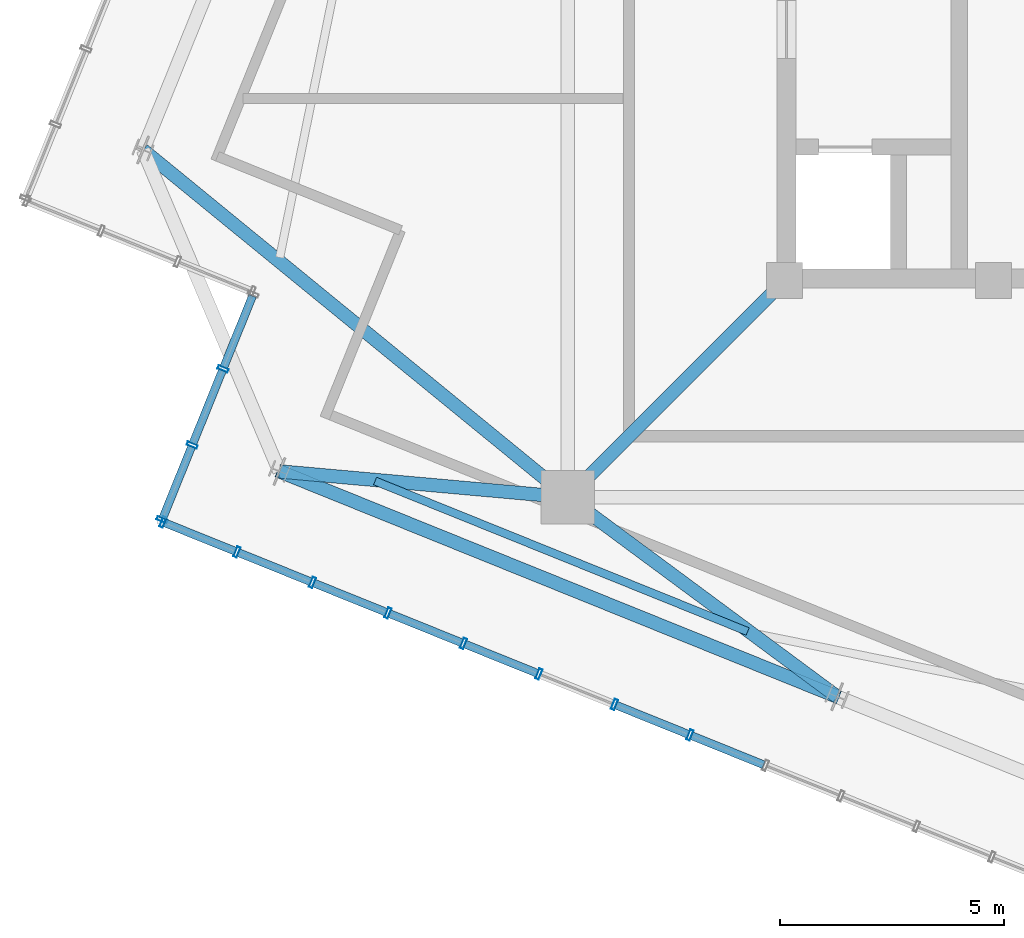
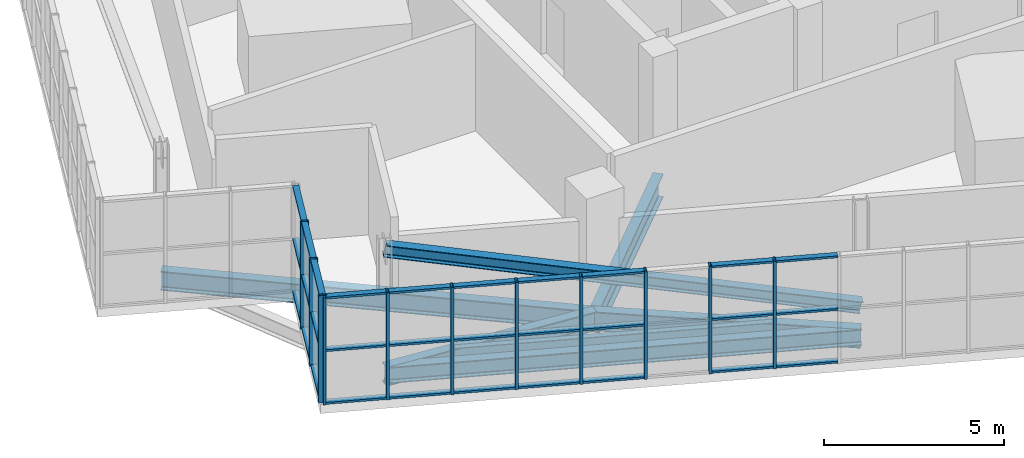
# One storey, part 3 of 26: 42 members, 6 beams, 2 elements without a shape of their own.
"""IFC4 building model written with IfcOpenShell, lengths in metres."""

import ifcopenshell
import ifcopenshell.guid

model = None  # the IFC model being written
_history = None  # IfcOwnerHistory: only IFC2X3 demands one
_inside = {}  # id of a spatial element -> (the spatial element, [elements in it])
_under = {}  # id of a project, library or spatial element -> (it, [spatial elements below it])
_declared = {}  # id of a project -> (the project, [libraries it declares])
_typed = {}  # id of a type object -> (the type object, [elements of that type])
_made_of = {}  # id of a material, layer set ... -> (it, [elements and type objects made of it])


def new_model(schema):
    """Start an empty IFC model of exactly this schema.

    Asked for "IFC4X3", IfcOpenShell would pick the latest addendum, in which some entities
    have other attributes; the version numbers below select the first issue.
    IFC2X3 requires an IfcOwnerHistory on every rooted entity: one is made here for all.
    """
    global model, _history
    if schema == "IFC4X3":
        model = ifcopenshell.file(schema_version=(4, 3, 0, 0))
    else:
        model = ifcopenshell.file(schema=schema)
    _inside.clear()
    _under.clear()
    _declared.clear()
    _typed.clear()
    _made_of.clear()
    _history = None
    if model.schema == "IFC2X3":
        org = make("IfcOrganization", Name="unknown")
        user = make(
            "IfcPersonAndOrganization",
            ThePerson=make("IfcPerson", FamilyName="unknown"),
            TheOrganization=org,
        )
        app = make(
            "IfcApplication",
            ApplicationDeveloper=org,
            Version="unknown",
            ApplicationFullName="unknown",
            ApplicationIdentifier="unknown",
        )
        _history = make(
            "IfcOwnerHistory",
            OwningUser=user,
            OwningApplication=app,
            ChangeAction="ADDED",
            CreationDate=0,
        )
    return model


def make(cls, **values):
    """One entity of the class cls with the attributes given. An attribute that is None is left unset."""
    return model.create_entity(
        cls, **{name: value for name, value in values.items() if value is not None}
    )


def rooted(cls, **values):
    """An entity with a GlobalId (a new one), such as an element, a storey or a relation."""
    return make(cls, GlobalId=ifcopenshell.guid.new(), OwnerHistory=_history, **values)


def si_unit(unit_type, name, prefix=None):
    """IfcSIUnit, for example si_unit("LENGTHUNIT", "METRE", prefix="MILLI")."""
    return make("IfcSIUnit", UnitType=unit_type, Prefix=prefix, Name=name)


def assignment(units):
    """IfcUnitAssignment: the units of a project."""
    return None if units is None else make("IfcUnitAssignment", Units=units)


def point(xyz):
    """IfcCartesianPoint."""
    return None if xyz is None else make("IfcCartesianPoint", Coordinates=xyz)


def direction(xyz):
    """IfcDirection."""
    return None if xyz is None else make("IfcDirection", DirectionRatios=xyz)


def frame(location, z_axis=None, x_axis=None):
    """IfcAxis2Placement3D, a coordinate frame: its origin and axes. An axis left out is left unset."""
    return make(
        "IfcAxis2Placement3D",
        Location=point(location),
        Axis=direction(z_axis),
        RefDirection=direction(x_axis),
    )


def frame_2d(location, x_axis=None):
    """IfcAxis2Placement2D, a coordinate frame in the plane: its origin and x axis."""
    return make(
        "IfcAxis2Placement2D", Location=point(location), RefDirection=direction(x_axis)
    )


def origin():
    """The frame at (0, 0, 0) with its axes left unset."""
    return frame((0.0, 0.0, 0.0))


def origin_2d():
    """The frame at (0, 0) in the plane with its x axis left unset."""
    return frame_2d((0.0, 0.0))


def place(relative_to, where):
    """IfcLocalPlacement: puts the frame where relative to a parent placement (None: the world)."""
    return make(
        "IfcLocalPlacement", PlacementRelTo=relative_to, RelativePlacement=where
    )


def context(
    kind, dimensions, precision=None, world=None, true_north=None, identifier=None
):
    """IfcGeometricRepresentationContext, for example the 3D "Model" context."""
    return make(
        "IfcGeometricRepresentationContext",
        ContextIdentifier=identifier,
        ContextType=kind,
        CoordinateSpaceDimension=dimensions,
        Precision=precision,
        WorldCoordinateSystem=world,
        TrueNorth=true_north,
    )


def subcontext(parent, identifier, kind, view, scale=None):
    """IfcGeometricRepresentationSubContext, for example "Body" below "Model"."""
    return make(
        "IfcGeometricRepresentationSubContext",
        ContextIdentifier=identifier,
        ContextType=kind,
        ParentContext=parent,
        TargetScale=scale,
        TargetView=view,
    )


def project(units=None, contexts=None):
    """IfcProject with its units and contexts."""
    return rooted(
        "IfcProject",
        Name="project",
        RepresentationContexts=contexts,
        UnitsInContext=assignment(units),
    )


def spatial(cls, under=None, at=None, **own):
    """A site, building, storey or space (cls), placed at a placement, below another one or the project."""
    s = rooted(cls, ObjectPlacement=at, **own)
    if under is not None:
        _under.setdefault(under.id(), (under, []))[1].append(s)
    return s


def profile(cls, at=None, kind="AREA", **sizes):
    """A parametric profile (cls). Its sizes go by their IFC names, for example OverallWidth=200.0."""
    return make(cls, ProfileType=kind, Position=at, **sizes)


def hollow_rectangle(**sizes):
    """IfcRectangleHollowProfileDef."""
    return profile("IfcRectangleHollowProfileDef", **sizes)


def i_section(**sizes):
    """IfcIShapeProfileDef."""
    return profile("IfcIShapeProfileDef", **sizes)


def extrude(swept, where, along, depth):
    """IfcExtrudedAreaSolid: the profile swept, set in the frame where, extruded along a direction by depth."""
    return make(
        "IfcExtrudedAreaSolid",
        SweptArea=swept,
        Position=where,
        ExtrudedDirection=direction(along),
        Depth=depth,
    )


def shape(context_of_items, identifier, shape_type, items):
    """IfcShapeRepresentation: the items that make up one representation, for example the "Body"."""
    return make(
        "IfcShapeRepresentation",
        ContextOfItems=context_of_items,
        RepresentationIdentifier=identifier,
        RepresentationType=shape_type,
        Items=items,
    )


def source(mapping_origin, context_of_items, identifier, shape_type, items):
    """IfcRepresentationMap: a shape defined once, which mapped items show again and again."""
    return make(
        "IfcRepresentationMap",
        MappingOrigin=mapping_origin,
        MappedRepresentation=shape(context_of_items, identifier, shape_type, items),
    )


def transform(
    local_origin,
    x_axis=None,
    y_axis=None,
    z_axis=None,
    scale=None,
    scale2=None,
    scale3=None,
    uniform=True,
):
    """IfcCartesianTransformationOperator3D, or its non-uniform kind. x_axis, y_axis, z_axis: its Axis1, 2, 3."""
    if uniform:
        return make(
            "IfcCartesianTransformationOperator3D",
            Axis1=direction(x_axis),
            Axis2=direction(y_axis),
            LocalOrigin=point(local_origin),
            Scale=scale,
            Axis3=direction(z_axis),
        )
    return make(
        "IfcCartesianTransformationOperator3DnonUniform",
        Axis1=direction(x_axis),
        Axis2=direction(y_axis),
        LocalOrigin=point(local_origin),
        Scale=scale,
        Axis3=direction(z_axis),
        Scale2=scale2,
        Scale3=scale3,
    )


def mapped(mapping_source, mapping_target):
    """IfcMappedItem: shows the shape of a source again, moved by a transform."""
    return make(
        "IfcMappedItem", MappingSource=mapping_source, MappingTarget=mapping_target
    )


def material(Name=None, Category=None):
    """IfcMaterial."""
    return make("IfcMaterial", Name=Name, Category=Category)


def layer(
    of_material, thickness, ventilated=None, Name=None, Category=None, Priority=None
):
    """IfcMaterialLayer: one layer of a wall or slab, of a material (None: an air gap)."""
    return make(
        "IfcMaterialLayer",
        Material=of_material,
        LayerThickness=thickness,
        IsVentilated=ventilated,
        Name=Name,
        Category=Category,
        Priority=Priority,
    )


def layer_set(layers, Name=None):
    """IfcMaterialLayerSet."""
    return make("IfcMaterialLayerSet", MaterialLayers=layers, LayerSetName=Name)


def material_profile(
    of_material, cross_section, Name=None, Category=None, Priority=None
):
    """IfcMaterialProfile: a cross section and its material."""
    return make(
        "IfcMaterialProfile",
        Name=Name,
        Material=of_material,
        Profile=cross_section,
        Priority=Priority,
        Category=Category,
    )


def profile_set(profiles, Name=None, composite=None):
    """IfcMaterialProfileSet."""
    return make(
        "IfcMaterialProfileSet",
        Name=Name,
        MaterialProfiles=profiles,
        CompositeProfile=composite,
    )


def made_of(thing, what):
    """Note that an element or type object is made of a material, layer set ...; save() writes the relation."""
    if what is not None:
        _made_of.setdefault(what.id(), (what, []))[1].append(thing)
    return thing


def type_object(cls, material=None, **own):
    """A type object (cls), such as IfcWallType, which elements share."""
    return made_of(rooted(cls, **own), material)


def element(
    cls,
    number,
    at=None,
    inside=None,
    cuts=None,
    type_object=None,
    material=None,
    context=None,
    identifier="Body",
    shape_type=None,
    held_by="IfcProductDefinitionShape",
    body=None,
    shapes=None,
    **own,
):
    """One element of the class cls, such as IfcWall. Its Tag is "e" and its number.

    at: its placement. inside: the storey or other place that contains it. cuts: it is an
    opening in that element (IfcRelVoidsElement). A single representation is given by context,
    identifier, shape_type and body (its items); several are given by shapes. held_by: the class
    of the entity that holds the representations. save() writes the other relations.
    """
    e = rooted(cls, Tag="e%d" % number, ObjectPlacement=at, **own)
    if body is not None:
        shapes = [shape(context, identifier, shape_type, body)]
    if shapes is not None:
        e.Representation = make(held_by, Representations=shapes)
    if inside is not None:
        _inside.setdefault(inside.id(), (inside, []))[1].append(e)
    if cuts is not None:
        rooted(
            "IfcRelVoidsElement", RelatingBuildingElement=cuts, RelatedOpeningElement=e
        )
    if type_object is not None:
        _typed.setdefault(type_object.id(), (type_object, []))[1].append(e)
    return made_of(e, material)


def aggregate(whole, parts):
    """IfcRelAggregates: a whole, such as a stair, and the parts it consists of."""
    return rooted("IfcRelAggregates", RelatingObject=whole, RelatedObjects=parts)


def save(model, path):
    """Write the relations noted so far, then the file.

    IfcRelAggregates (storeys below a building ...), IfcRelContainedInSpatialStructure (elements
    in a storey), IfcRelDefinesByType, IfcRelAssociatesMaterial and IfcRelDeclares: one each for
    every whole, place, type object, material and project.
    """
    for whole, parts in _under.values():
        aggregate(whole, parts)
    for where, things in _inside.values():
        rooted(
            "IfcRelContainedInSpatialStructure",
            RelatedElements=things,
            RelatingStructure=where,
        )
    for kind, things in _typed.values():
        rooted("IfcRelDefinesByType", RelatedObjects=things, RelatingType=kind)
    for what, things in _made_of.values():
        rooted("IfcRelAssociatesMaterial", RelatedObjects=things, RelatingMaterial=what)
    for by, libraries in _declared.values():
        rooted("IfcRelDeclares", RelatingContext=by, RelatedDefinitions=libraries)
    model.write(path)


model = new_model("IFC4")

# Units and contexts
model_context = context("Model", 3, precision=1e-05, world=origin(), true_north=direction((0.0, 1.0)))
body_context = subcontext(model_context, "Body", "Model", "MODEL_VIEW")
ifc_project = project(units=[si_unit("LENGTHUNIT", "METRE"), si_unit("AREAUNIT", "SQUARE_METRE"), si_unit("VOLUMEUNIT", "CUBIC_METRE"), si_unit("PLANEANGLEUNIT", "RADIAN"), si_unit("MASSUNIT", "GRAM", prefix="KILO"), si_unit("THERMODYNAMICTEMPERATUREUNIT", "KELVIN")], contexts=[model_context])

# Site, building, storey
site_placement = place(None, origin())
site = spatial("IfcSite", under=ifc_project, at=site_placement, CompositionType="ELEMENT")
building_placement = place(site_placement, origin())
building = spatial("IfcBuilding", under=site, at=building_placement, Name="Kosmvard Interchange Tower", CompositionType="ELEMENT")
storey_placement = place(building_placement, frame((0.0, 0.0, 341.60009765625)))
storey = spatial("IfcBuildingStorey", under=building, at=storey_placement, Name="L84", CompositionType="ELEMENT", Elevation=341.60009765625)

# Beam
ifc_material_1 = material(Name="Steel S355", Category="steel")
ifc_material_profile_1 = material_profile(ifc_material_1, i_section(OverallWidth=0.300048828125, OverallDepth=0.800048828125, WebThickness=0.017578125, FlangeThickness=0.032958984375, FilletRadius=0.027099609375, at=origin_2d()), Name="HEB 800")
ifc_profile_set_1 = profile_set([ifc_material_profile_1], Name="Steel S355")
beam_type_1 = type_object("IfcBeamType", Name="Primary Mega-Frame Girder HEB 800 S355", PredefinedType="BEAM", material=ifc_profile_set_1)
shared_shape_1 = source(origin(), body_context, "Body", "SweptSolid", [
    extrude(i_section(OverallWidth=0.300048828125, OverallDepth=0.800048828125, WebThickness=0.017578125, FlangeThickness=0.032958984375, FilletRadius=0.027099609375, at=origin_2d()), origin(), (0.0, 0.0, 1.0), 6.83203125),
])
beam_1_placement = place(storey_placement, frame((-8.25, -8.25, -0.7001953125), z_axis=(-0.707106781187, -0.707106781187, 0.0), x_axis=(0.707106781187, -0.707106781187, 0.0)))
element("IfcBeam", 1, at=beam_1_placement, inside=storey, type_object=beam_type_1, Name="L84 Radial Mega-Frame Girder 1", PredefinedType="BEAM", context=body_context, shape_type="MappedRepresentation", body=[
    mapped(shared_shape_1, transform((0.0, 0.0, 0.0), scale=1.0)),
])

# Member
ifc_material_profile_2 = material_profile(ifc_material_1, i_section(OverallWidth=0.300048828125, OverallDepth=0.39990234375, WebThickness=0.013427734375, FlangeThickness=0.02392578125, FilletRadius=0.027099609375, at=origin_2d()), Name="HEB 400")
ifc_profile_set_2 = profile_set([ifc_material_profile_2], Name="Steel S355")
member_type_1 = type_object("IfcMemberType", Name="Lantern Crown Diagrid Brace HEB 400 S355", PredefinedType="BRACE", material=ifc_profile_set_2)
shared_shape_2 = source(origin(), body_context, "Body", "SweptSolid", [
    extrude(i_section(OverallWidth=0.300048828125, OverallDepth=0.39990234375, WebThickness=0.013427734375, FlangeThickness=0.02392578125, FilletRadius=0.027099609375, at=origin_2d()), origin(), (0.0, 0.0, 1.0), 13.78369140625),
])
member_1_placement = place(storey_placement, frame((-7.080078125, -17.523681640625, 0.419921875), z_axis=(-0.901373372792, 0.364162635972, 0.234332279859), x_axis=(-0.374592580972, -0.927189515839, 0.0)))
element("IfcMember", 2, at=member_1_placement, inside=storey, type_object=member_type_1, Name="L84 Crown Lantern Diagrid Brace W1", PredefinedType="BRACE", context=body_context, shape_type="MappedRepresentation", body=[
    mapped(shared_shape_2, transform((0.0, 0.0, 0.0), scale=1.0)),
])

# Beams
ifc_material_profile_3 = material_profile(ifc_material_1, i_section(OverallWidth=0.300048828125, OverallDepth=0.550048828125, WebThickness=0.014892578125, FlangeThickness=0.029052734375, FilletRadius=0.027099609375, at=origin_2d()), Name="HEB 550")
ifc_profile_set_3 = profile_set([ifc_material_profile_3], Name="Steel S355")
beam_type_2 = type_object("IfcBeamType", Name="Crown Ring Cap Girder HEB 550 S355", PredefinedType="BEAM", material=ifc_profile_set_3)
shared_shape_3 = source(origin(), body_context, "Body", "SweptSolid", [
    extrude(i_section(OverallWidth=0.300048828125, OverallDepth=0.550048828125, WebThickness=0.014892578125, FlangeThickness=0.029052734375, FilletRadius=0.027099609375, at=origin_2d()), origin(), (0.0, 0.0, 1.0), 13.39990234375),
])
beam_2_placement = place(storey_placement, frame((-19.50439453125, -12.504150390625, -0.5751953125), z_axis=(0.927189515839, -0.374592580972, 0.0), x_axis=(0.374592580972, 0.927189515839, 0.0)))
element("IfcBeam", 3, at=beam_2_placement, inside=storey, type_object=beam_type_2, Name="BM-L84-PR10", PredefinedType="BEAM", context=body_context, shape_type="MappedRepresentation", body=[
    mapped(shared_shape_3, transform((0.0, 0.0, 0.0), scale=1.0)),
])
ifc_material_profile_4 = material_profile(ifc_material_1, i_section(OverallWidth=0.300048828125, OverallDepth=0.64990234375, WebThickness=0.01611328125, FlangeThickness=0.031005859375, FilletRadius=0.027099609375, at=origin_2d()), Name="HEB 650")
ifc_profile_set_4 = profile_set([ifc_material_profile_4], Name="Steel S355")
beam_type_3 = type_object("IfcBeamType", Name="Primary Floor Girder HEB 650 S355", PredefinedType="BEAM", material=ifc_profile_set_4)
shared_shape_4 = source(origin(), body_context, "Body", "SweptSolid", [
    extrude(i_section(OverallWidth=0.300048828125, OverallDepth=0.64990234375, WebThickness=0.01611328125, FlangeThickness=0.031005859375, FilletRadius=0.027099609375, at=origin_2d()), origin(), (0.0, 0.0, 1.0), 6.44921875),
])
beam_3_placement = place(storey_placement, frame((-13.0810546875, -13.0810546875, -0.625), z_axis=(-0.995990982197, 0.089453694068, 0.0), x_axis=(-0.089453694068, -0.995990982197, 0.0)))
element("IfcBeam", 4, at=beam_3_placement, inside=storey, type_object=beam_type_3, Name="BM-L84-RD10", PredefinedType="BEAM", context=body_context, shape_type="MappedRepresentation", body=[
    mapped(shared_shape_4, transform((0.0, 0.0, 0.0), scale=1.0)),
])
shared_shape_5 = source(origin(), body_context, "Body", "SweptSolid", [
    extrude(i_section(OverallWidth=0.300048828125, OverallDepth=0.64990234375, WebThickness=0.01611328125, FlangeThickness=0.031005859375, FilletRadius=0.027099609375, at=origin_2d()), origin(), (0.0, 0.0, 1.0), 7.466552734375),
])
beam_4_placement = place(storey_placement, frame((-13.0810546875, -13.0810546875, -0.625), z_axis=(0.803719929879, -0.595007793491, 0.0), x_axis=(0.595007793491, 0.803719929879, 0.0)))
element("IfcBeam", 5, at=beam_4_placement, inside=storey, type_object=beam_type_3, Name="BM-L84-RD11", PredefinedType="BEAM", context=body_context, shape_type="MappedRepresentation", body=[
    mapped(shared_shape_5, transform((0.0, 0.0, 0.0), scale=1.0)),
])
shared_shape_6 = source(origin(), body_context, "Body", "SweptSolid", [
    extrude(i_section(OverallWidth=0.300048828125, OverallDepth=0.64990234375, WebThickness=0.01611328125, FlangeThickness=0.031005859375, FilletRadius=0.027099609375, at=origin_2d()), origin(), (0.0, 0.0, 1.0), 12.22265625),
])
beam_5_placement = place(storey_placement, frame((-13.0810546875, -13.0810546875, -0.625), z_axis=(-0.774163725034, 0.632985408079, 0.0), x_axis=(-0.632985408079, -0.774163725034, 0.0)))
element("IfcBeam", 6, at=beam_5_placement, inside=storey, type_object=beam_type_3, Name="BM-L84-RD09", PredefinedType="BEAM", context=body_context, shape_type="MappedRepresentation", body=[
    mapped(shared_shape_6, transform((0.0, 0.0, 0.0), scale=1.0)),
])
ifc_material_profile_5 = material_profile(ifc_material_1, i_section(OverallWidth=0.179931640625, OverallDepth=0.39990234375, WebThickness=0.008544921875, FlangeThickness=0.013427734375, FilletRadius=0.02099609375, at=origin_2d()), Name="IPE 400")
ifc_profile_set_5 = profile_set([ifc_material_profile_5], Name="Steel S355")
beam_type_4 = type_object("IfcBeamType", Name="Upper-Zone Floor Joist IPE 400 S355", PredefinedType="JOIST", material=ifc_profile_set_5)
shared_shape_7 = source(origin(), body_context, "Body", "SweptSolid", [
    extrude(i_section(OverallWidth=0.179931640625, OverallDepth=0.39990234375, WebThickness=0.008544921875, FlangeThickness=0.013427734375, FilletRadius=0.02099609375, at=origin_2d()), origin(), (0.0, 0.0, 1.0), 8.9521484375),
])
beam_6_placement = place(storey_placement, frame((-17.374755859375, -12.71875, -0.5), z_axis=(0.927194118723, -0.374581187736, 0.0), x_axis=(0.374581187736, 0.927194118723, 0.0)))
element("IfcBeam", 7, at=beam_6_placement, inside=storey, type_object=beam_type_4, Name="BM-L84-FJ07", PredefinedType="JOIST", context=body_context, shape_type="MappedRepresentation", body=[
    mapped(shared_shape_7, transform((0.0, 0.0, 0.0), scale=1.0)),
])

# Curtain wall, members
ifc_material_2 = material(Name="Architectural anodised aluminium", Category="aluminium")
ifc_layer = layer(ifc_material_2, 0.25, Name="Architectural anodised aluminium")
ifc_layer_set = layer_set([ifc_layer], Name="Architectural anodised aluminium")
curtain_wall_type = type_object("IfcCurtainWallType", Name="CW-6 Illuminated Crown Lantern Curtain Wall", PredefinedType="NOTDEFINED", material=ifc_layer_set)
curtain_wall_1_placement = place(storey_placement, origin())
curtain_wall_1 = element("IfcCurtainWall", 8, at=curtain_wall_1_placement, inside=storey, type_object=curtain_wall_type, Name="L84 Crown Lantern Glazing Face 10", PredefinedType="NOTDEFINED")
ifc_material_profile_6 = material_profile(ifc_material_2, hollow_rectangle(XDim=0.179931640625, YDim=0.070068359375, WallThickness=0.0048828125, at=origin_2d()), Name="CWT 180x70x5")
ifc_profile_set_6 = profile_set([ifc_material_profile_6], Name="Architectural anodised aluminium")
member_type_2 = type_object("IfcMemberType", Name="Heavy Lantern CW Transom 180x70 Aluminium", PredefinedType="USERDEFINED", material=ifc_profile_set_6)
shared_shape_8 = source(origin(), body_context, "Body", "SweptSolid", [
    extrude(hollow_rectangle(XDim=0.179931640625, YDim=0.070068359375, WallThickness=0.0048828125, at=origin_2d()), origin(), (0.0, 0.0, 1.0), 1.694091796875),
])
member_2_placement = place(storey_placement, frame((-22.059814453125, -13.650146484375, 0.034912109375), z_axis=(0.927159064032, -0.374667946298, 0.0), x_axis=(0.374667946298, 0.927159064032, 0.0)))
member_2 = element("IfcMember", 9, at=member_2_placement, type_object=member_type_2, Name="CW-6 transom 1.1", ObjectType="TRANSOM", PredefinedType="USERDEFINED", context=body_context, shape_type="MappedRepresentation", body=[
    mapped(shared_shape_8, transform((0.0, 0.0, 0.0), scale=1.0)),
])
member_3_placement = place(storey_placement, frame((-22.059814453125, -13.650146484375, 1.824951171875), z_axis=(0.927159064032, -0.374667946298, 0.0), x_axis=(0.374667946298, 0.927159064032, 0.0)))
member_3 = element("IfcMember", 10, at=member_3_placement, type_object=member_type_2, Name="CW-6 transom 1.2", ObjectType="TRANSOM", PredefinedType="USERDEFINED", context=body_context, shape_type="MappedRepresentation", body=[
    mapped(shared_shape_8, transform((0.0, 0.0, 0.0), scale=1.0)),
])
member_4_placement = place(storey_placement, frame((-22.059814453125, -13.650146484375, 3.614990234375), z_axis=(0.927159064032, -0.374667946298, 0.0), x_axis=(0.374667946298, 0.927159064032, 0.0)))
member_4 = element("IfcMember", 11, at=member_4_placement, type_object=member_type_2, Name="CW-6 transom 1.3", ObjectType="TRANSOM", PredefinedType="USERDEFINED", context=body_context, shape_type="MappedRepresentation", body=[
    mapped(shared_shape_8, transform((0.0, 0.0, 0.0), scale=1.0)),
])
shared_shape_9 = source(origin(), body_context, "Body", "SweptSolid", [
    extrude(hollow_rectangle(XDim=0.179931640625, YDim=0.070068359375, WallThickness=0.0048828125, at=origin_2d()), origin(), (0.0, 0.0, 1.0), 1.734130859375),
])
member_5_placement = place(storey_placement, frame((-20.414794921875, -14.314697265625, 0.034912109375), z_axis=(0.927179782522, -0.374616671924, 0.0), x_axis=(0.374616671924, 0.927179782522, 0.0)))
member_5 = element("IfcMember", 12, at=member_5_placement, type_object=member_type_2, Name="CW-6 transom 2.1", ObjectType="TRANSOM", PredefinedType="USERDEFINED", context=body_context, shape_type="MappedRepresentation", body=[
    mapped(shared_shape_9, transform((0.0, 0.0, 0.0), scale=1.0)),
])
member_6_placement = place(storey_placement, frame((-20.414794921875, -14.314697265625, 1.824951171875), z_axis=(0.927179782522, -0.374616671924, 0.0), x_axis=(0.374616671924, 0.927179782522, 0.0)))
member_6 = element("IfcMember", 13, at=member_6_placement, type_object=member_type_2, Name="CW-6 transom 2.2", ObjectType="TRANSOM", PredefinedType="USERDEFINED", context=body_context, shape_type="MappedRepresentation", body=[
    mapped(shared_shape_9, transform((0.0, 0.0, 0.0), scale=1.0)),
])
member_7_placement = place(storey_placement, frame((-20.414794921875, -14.314697265625, 3.614990234375), z_axis=(0.927179782522, -0.374616671924, 0.0), x_axis=(0.374616671924, 0.927179782522, 0.0)))
member_7 = element("IfcMember", 14, at=member_7_placement, type_object=member_type_2, Name="CW-6 transom 2.3", ObjectType="TRANSOM", PredefinedType="USERDEFINED", context=body_context, shape_type="MappedRepresentation", body=[
    mapped(shared_shape_9, transform((0.0, 0.0, 0.0), scale=1.0)),
])
member_8_placement = place(storey_placement, frame((-18.73291015625, -14.994384765625, 0.034912109375), z_axis=(0.927179782522, -0.374616671924, 0.0), x_axis=(0.374616671924, 0.927179782522, 0.0)))
member_8 = element("IfcMember", 15, at=member_8_placement, type_object=member_type_2, Name="CW-6 transom 3.1", ObjectType="TRANSOM", PredefinedType="USERDEFINED", context=body_context, shape_type="MappedRepresentation", body=[
    mapped(shared_shape_9, transform((0.0, 0.0, 0.0), scale=1.0)),
])
member_9_placement = place(storey_placement, frame((-18.73291015625, -14.994384765625, 1.824951171875), z_axis=(0.927179782522, -0.374616671924, 0.0), x_axis=(0.374616671924, 0.927179782522, 0.0)))
member_9 = element("IfcMember", 16, at=member_9_placement, type_object=member_type_2, Name="CW-6 transom 3.2", ObjectType="TRANSOM", PredefinedType="USERDEFINED", context=body_context, shape_type="MappedRepresentation", body=[
    mapped(shared_shape_9, transform((0.0, 0.0, 0.0), scale=1.0)),
])
member_10_placement = place(storey_placement, frame((-18.73291015625, -14.994384765625, 3.614990234375), z_axis=(0.927179782522, -0.374616671924, 0.0), x_axis=(0.374616671924, 0.927179782522, 0.0)))
member_10 = element("IfcMember", 17, at=member_10_placement, type_object=member_type_2, Name="CW-6 transom 3.3", ObjectType="TRANSOM", PredefinedType="USERDEFINED", context=body_context, shape_type="MappedRepresentation", body=[
    mapped(shared_shape_9, transform((0.0, 0.0, 0.0), scale=1.0)),
])
member_11_placement = place(storey_placement, frame((-17.05078125, -15.674072265625, 0.034912109375), z_axis=(0.927228675447, -0.374495638732, 0.0), x_axis=(0.374495638732, 0.927228675447, 0.0)))
member_11 = element("IfcMember", 18, at=member_11_placement, type_object=member_type_2, Name="CW-6 transom 4.1", ObjectType="TRANSOM", PredefinedType="USERDEFINED", context=body_context, shape_type="MappedRepresentation", body=[
    mapped(shared_shape_9, transform((0.0, 0.0, 0.0), scale=1.0)),
])
member_12_placement = place(storey_placement, frame((-17.05078125, -15.674072265625, 1.824951171875), z_axis=(0.927228675447, -0.374495638732, 0.0), x_axis=(0.374495638732, 0.927228675447, 0.0)))
member_12 = element("IfcMember", 19, at=member_12_placement, type_object=member_type_2, Name="CW-6 transom 4.2", ObjectType="TRANSOM", PredefinedType="USERDEFINED", context=body_context, shape_type="MappedRepresentation", body=[
    mapped(shared_shape_9, transform((0.0, 0.0, 0.0), scale=1.0)),
])
member_13_placement = place(storey_placement, frame((-17.05078125, -15.674072265625, 3.614990234375), z_axis=(0.927228675447, -0.374495638732, 0.0), x_axis=(0.374495638732, 0.927228675447, 0.0)))
member_13 = element("IfcMember", 20, at=member_13_placement, type_object=member_type_2, Name="CW-6 transom 4.3", ObjectType="TRANSOM", PredefinedType="USERDEFINED", context=body_context, shape_type="MappedRepresentation", body=[
    mapped(shared_shape_9, transform((0.0, 0.0, 0.0), scale=1.0)),
])
member_14_placement = place(storey_placement, frame((-15.368896484375, -16.353515625, 0.034912109375), z_axis=(0.927179782522, -0.374616671924, 0.0), x_axis=(0.374616671924, 0.927179782522, 0.0)))
member_14 = element("IfcMember", 21, at=member_14_placement, type_object=member_type_2, Name="CW-6 transom 5.1", ObjectType="TRANSOM", PredefinedType="USERDEFINED", context=body_context, shape_type="MappedRepresentation", body=[
    mapped(shared_shape_9, transform((0.0, 0.0, 0.0), scale=1.0)),
])
member_15_placement = place(storey_placement, frame((-15.368896484375, -16.353515625, 1.824951171875), z_axis=(0.927179782522, -0.374616671924, 0.0), x_axis=(0.374616671924, 0.927179782522, 0.0)))
member_15 = element("IfcMember", 22, at=member_15_placement, type_object=member_type_2, Name="CW-6 transom 5.2", ObjectType="TRANSOM", PredefinedType="USERDEFINED", context=body_context, shape_type="MappedRepresentation", body=[
    mapped(shared_shape_9, transform((0.0, 0.0, 0.0), scale=1.0)),
])
member_16_placement = place(storey_placement, frame((-15.368896484375, -16.353515625, 3.614990234375), z_axis=(0.927179782522, -0.374616671924, 0.0), x_axis=(0.374616671924, 0.927179782522, 0.0)))
member_16 = element("IfcMember", 23, at=member_16_placement, type_object=member_type_2, Name="CW-6 transom 5.3", ObjectType="TRANSOM", PredefinedType="USERDEFINED", context=body_context, shape_type="MappedRepresentation", body=[
    mapped(shared_shape_9, transform((0.0, 0.0, 0.0), scale=1.0)),
])
member_17_placement = place(storey_placement, frame((-10.32275390625, -18.392333984375, 0.034912109375), z_axis=(0.927179782522, -0.374616671924, 0.0), x_axis=(0.374616671924, 0.927179782522, 0.0)))
member_17 = element("IfcMember", 24, at=member_17_placement, type_object=member_type_2, Name="CW-6 transom 8.1", ObjectType="TRANSOM", PredefinedType="USERDEFINED", context=body_context, shape_type="MappedRepresentation", body=[
    mapped(shared_shape_9, transform((0.0, 0.0, 0.0), scale=1.0)),
])
member_18_placement = place(storey_placement, frame((-10.32275390625, -18.392333984375, 1.824951171875), z_axis=(0.927179782522, -0.374616671924, 0.0), x_axis=(0.374616671924, 0.927179782522, 0.0)))
member_18 = element("IfcMember", 25, at=member_18_placement, type_object=member_type_2, Name="CW-6 transom 8.2", ObjectType="TRANSOM", PredefinedType="USERDEFINED", context=body_context, shape_type="MappedRepresentation", body=[
    mapped(shared_shape_9, transform((0.0, 0.0, 0.0), scale=1.0)),
])
member_19_placement = place(storey_placement, frame((-10.32275390625, -18.392333984375, 3.614990234375), z_axis=(0.927179782522, -0.374616671924, 0.0), x_axis=(0.374616671924, 0.927179782522, 0.0)))
member_19 = element("IfcMember", 26, at=member_19_placement, type_object=member_type_2, Name="CW-6 transom 8.3", ObjectType="TRANSOM", PredefinedType="USERDEFINED", context=body_context, shape_type="MappedRepresentation", body=[
    mapped(shared_shape_9, transform((0.0, 0.0, 0.0), scale=1.0)),
])
shared_shape_10 = source(origin(), body_context, "Body", "SweptSolid", [
    extrude(hollow_rectangle(XDim=0.179931640625, YDim=0.070068359375, WallThickness=0.0048828125, at=origin_2d()), origin(), (0.0, 0.0, 1.0), 1.73388671875),
])
member_20_placement = place(storey_placement, frame((-12.004638671875, -17.712646484375, 0.034912109375), z_axis=(0.927160021861, -0.374665576032, 0.0), x_axis=(0.374665576032, 0.927160021861, 0.0)))
member_20 = element("IfcMember", 27, at=member_20_placement, type_object=member_type_2, Name="CW-6 transom 7.1", ObjectType="TRANSOM", PredefinedType="USERDEFINED", context=body_context, shape_type="MappedRepresentation", body=[
    mapped(shared_shape_10, transform((0.0, 0.0, 0.0), scale=1.0)),
])
member_21_placement = place(storey_placement, frame((-12.004638671875, -17.712646484375, 1.824951171875), z_axis=(0.927160021861, -0.374665576032, 0.0), x_axis=(0.374665576032, 0.927160021861, 0.0)))
member_21 = element("IfcMember", 28, at=member_21_placement, type_object=member_type_2, Name="CW-6 transom 7.2", ObjectType="TRANSOM", PredefinedType="USERDEFINED", context=body_context, shape_type="MappedRepresentation", body=[
    mapped(shared_shape_10, transform((0.0, 0.0, 0.0), scale=1.0)),
])
member_22_placement = place(storey_placement, frame((-12.004638671875, -17.712646484375, 3.614990234375), z_axis=(0.927160021861, -0.374665576032, 0.0), x_axis=(0.374665576032, 0.927160021861, 0.0)))
member_22 = element("IfcMember", 29, at=member_22_placement, type_object=member_type_2, Name="CW-6 transom 7.3", ObjectType="TRANSOM", PredefinedType="USERDEFINED", context=body_context, shape_type="MappedRepresentation", body=[
    mapped(shared_shape_10, transform((0.0, 0.0, 0.0), scale=1.0)),
])

curtain_wall_2_placement = place(storey_placement, origin())
curtain_wall_2 = element("IfcCurtainWall", 30, at=curtain_wall_2_placement, inside=storey, type_object=curtain_wall_type, Name="L84 Crown Lantern Glazing Face 09", PredefinedType="NOTDEFINED")
shared_shape_11 = source(origin(), body_context, "Body", "SweptSolid", [
    extrude(hollow_rectangle(XDim=0.179931640625, YDim=0.070068359375, WallThickness=0.0048828125, at=origin_2d()), origin(), (0.0, 0.0, 1.0), 1.71337890625),
])
member_23_placement = place(storey_placement, frame((-20.103515625, -8.594970703125, 0.034912109375), z_axis=(-0.374606758599, -0.927183787829, 0.0), x_axis=(0.927183787829, -0.374606758599, 0.0)))
member_23 = element("IfcMember", 31, at=member_23_placement, type_object=member_type_2, Name="CW-6 transom 1.1", ObjectType="TRANSOM", PredefinedType="USERDEFINED", context=body_context, shape_type="MappedRepresentation", body=[
    mapped(shared_shape_11, transform((0.0, 0.0, 0.0), scale=1.0)),
])
member_24_placement = place(storey_placement, frame((-20.103515625, -8.594970703125, 1.824951171875), z_axis=(-0.374606758599, -0.927183787829, 0.0), x_axis=(0.927183787829, -0.374606758599, 0.0)))
member_24 = element("IfcMember", 32, at=member_24_placement, type_object=member_type_2, Name="CW-6 transom 1.2", ObjectType="TRANSOM", PredefinedType="USERDEFINED", context=body_context, shape_type="MappedRepresentation", body=[
    mapped(shared_shape_11, transform((0.0, 0.0, 0.0), scale=1.0)),
])
member_25_placement = place(storey_placement, frame((-20.103515625, -8.594970703125, 3.614990234375), z_axis=(-0.374606758599, -0.927183787829, 0.0), x_axis=(0.927183787829, -0.374606758599, 0.0)))
member_25 = element("IfcMember", 33, at=member_25_placement, type_object=member_type_2, Name="CW-6 transom 1.3", ObjectType="TRANSOM", PredefinedType="USERDEFINED", context=body_context, shape_type="MappedRepresentation", body=[
    mapped(shared_shape_11, transform((0.0, 0.0, 0.0), scale=1.0)),
])
member_26_placement = place(storey_placement, frame((-21.462158203125, -11.95751953125, 0.034912109375), z_axis=(-0.374606758599, -0.927183787829, 0.0), x_axis=(0.927183787829, -0.374606758599, 0.0)))
member_26 = element("IfcMember", 34, at=member_26_placement, type_object=member_type_2, Name="CW-6 transom 3.1", ObjectType="TRANSOM", PredefinedType="USERDEFINED", context=body_context, shape_type="MappedRepresentation", body=[
    mapped(shared_shape_11, transform((0.0, 0.0, 0.0), scale=1.0)),
])
member_27_placement = place(storey_placement, frame((-21.462158203125, -11.95751953125, 1.824951171875), z_axis=(-0.374606758599, -0.927183787829, 0.0), x_axis=(0.927183787829, -0.374606758599, 0.0)))
member_27 = element("IfcMember", 35, at=member_27_placement, type_object=member_type_2, Name="CW-6 transom 3.2", ObjectType="TRANSOM", PredefinedType="USERDEFINED", context=body_context, shape_type="MappedRepresentation", body=[
    mapped(shared_shape_11, transform((0.0, 0.0, 0.0), scale=1.0)),
])
member_28_placement = place(storey_placement, frame((-21.462158203125, -11.95751953125, 3.614990234375), z_axis=(-0.374606758599, -0.927183787829, 0.0), x_axis=(0.927183787829, -0.374606758599, 0.0)))
member_28 = element("IfcMember", 36, at=member_28_placement, type_object=member_type_2, Name="CW-6 transom 3.3", ObjectType="TRANSOM", PredefinedType="USERDEFINED", context=body_context, shape_type="MappedRepresentation", body=[
    mapped(shared_shape_11, transform((0.0, 0.0, 0.0), scale=1.0)),
])
shared_shape_12 = source(origin(), body_context, "Body", "SweptSolid", [
    extrude(hollow_rectangle(XDim=0.179931640625, YDim=0.070068359375, WallThickness=0.0048828125, at=origin_2d()), origin(), (0.0, 0.0, 1.0), 1.75341796875),
])
member_29_placement = place(storey_placement, frame((-20.775390625, -10.257568359375, 0.034912109375), z_axis=(-0.37455743912, -0.927203712676, 0.0), x_axis=(0.927203712676, -0.37455743912, 0.0)))
member_29 = element("IfcMember", 37, at=member_29_placement, type_object=member_type_2, Name="CW-6 transom 2.1", ObjectType="TRANSOM", PredefinedType="USERDEFINED", context=body_context, shape_type="MappedRepresentation", body=[
    mapped(shared_shape_12, transform((0.0, 0.0, 0.0), scale=1.0)),
])
member_30_placement = place(storey_placement, frame((-20.775390625, -10.257568359375, 1.824951171875), z_axis=(-0.37455743912, -0.927203712676, 0.0), x_axis=(0.927203712676, -0.37455743912, 0.0)))
member_30 = element("IfcMember", 38, at=member_30_placement, type_object=member_type_2, Name="CW-6 transom 2.2", ObjectType="TRANSOM", PredefinedType="USERDEFINED", context=body_context, shape_type="MappedRepresentation", body=[
    mapped(shared_shape_12, transform((0.0, 0.0, 0.0), scale=1.0)),
])
member_31_placement = place(storey_placement, frame((-20.775390625, -10.257568359375, 3.614990234375), z_axis=(-0.37455743912, -0.927203712676, 0.0), x_axis=(0.927203712676, -0.37455743912, 0.0)))
member_31 = element("IfcMember", 39, at=member_31_placement, type_object=member_type_2, Name="CW-6 transom 2.3", ObjectType="TRANSOM", PredefinedType="USERDEFINED", context=body_context, shape_type="MappedRepresentation", body=[
    mapped(shared_shape_12, transform((0.0, 0.0, 0.0), scale=1.0)),
])
ifc_material_profile_7 = material_profile(ifc_material_2, hollow_rectangle(XDim=0.239990234375, YDim=0.080078125, WallThickness=0.006103515625, at=origin_2d()), Name="CWM 240x80x6")
ifc_profile_set_7 = profile_set([ifc_material_profile_7], Name="Architectural anodised aluminium")
member_type_3 = type_object("IfcMemberType", Name="Lantern & Observation CW Mullion 240x80 Aluminium", PredefinedType="MULLION", material=ifc_profile_set_7)
shared_shape_13 = source(origin(), body_context, "Body", "SweptSolid", [
    extrude(hollow_rectangle(XDim=0.239990234375, YDim=0.080078125, WallThickness=0.006103515625, at=origin_2d()), origin(), (0.0, 0.0, 1.0), 3.64990234375),
])
member_32_placement = place(storey_placement, frame((-20.760498046875, -10.220458984375, 0.0), z_axis=(0.0, 0.0, 1.0), x_axis=(0.927183891631, -0.374606501678, 0.0)))
member_32 = element("IfcMember", 40, at=member_32_placement, type_object=member_type_3, Name="CW-6 mullion 2", PredefinedType="MULLION", context=body_context, shape_type="MappedRepresentation", body=[
    mapped(shared_shape_13, transform((0.0, 0.0, 0.0), scale=1.0)),
])
member_33_placement = place(storey_placement, frame((-21.447265625, -11.92041015625, 0.0), z_axis=(0.0, 0.0, 1.0), x_axis=(0.927183891631, -0.374606501678, 0.0)))
member_33 = element("IfcMember", 41, at=member_33_placement, type_object=member_type_3, Name="CW-6 mullion 3", PredefinedType="MULLION", context=body_context, shape_type="MappedRepresentation", body=[
    mapped(shared_shape_13, transform((0.0, 0.0, 0.0), scale=1.0)),
])
member_34_placement = place(storey_placement, frame((-22.118896484375, -13.583251953125, 0.0), z_axis=(0.0, 0.0, 1.0), x_axis=(0.927183891631, -0.374606501678, 0.0)))
member_34 = element("IfcMember", 42, at=member_34_placement, type_object=member_type_3, Name="CW-6 mullion 4", PredefinedType="MULLION", context=body_context, shape_type="MappedRepresentation", body=[
    mapped(shared_shape_13, transform((0.0, 0.0, 0.0), scale=1.0)),
])
aggregate(curtain_wall_2, [member_32, member_33, member_34, member_23, member_24, member_25, member_29, member_30, member_31, member_26, member_27, member_28])

# Member
member_35_placement = place(storey_placement, frame((-22.096923828125, -13.63525390625, 0.0), z_axis=(0.0, 0.0, 1.0), x_axis=(0.374606584758, 0.927183858065, 0.0)))
member_35 = element("IfcMember", 43, at=member_35_placement, type_object=member_type_3, Name="CW-6 mullion 1", PredefinedType="MULLION", context=body_context, shape_type="MappedRepresentation", body=[
    mapped(shared_shape_13, transform((0.0, 0.0, 0.0), scale=1.0)),
])

member_36_placement = place(storey_placement, frame((-20.451904296875, -14.2998046875, 0.0), z_axis=(0.0, 0.0, 1.0), x_axis=(0.374606584758, 0.927183858065, 0.0)))
member_36 = element("IfcMember", 44, at=member_36_placement, type_object=member_type_3, Name="CW-6 mullion 2", PredefinedType="MULLION", context=body_context, shape_type="MappedRepresentation", body=[
    mapped(shared_shape_13, transform((0.0, 0.0, 0.0), scale=1.0)),
])

member_37_placement = place(storey_placement, frame((-18.77001953125, -14.9794921875, 0.0), z_axis=(0.0, 0.0, 1.0), x_axis=(0.374606584758, 0.927183858065, 0.0)))
member_37 = element("IfcMember", 45, at=member_37_placement, type_object=member_type_3, Name="CW-6 mullion 3", PredefinedType="MULLION", context=body_context, shape_type="MappedRepresentation", body=[
    mapped(shared_shape_13, transform((0.0, 0.0, 0.0), scale=1.0)),
])

member_38_placement = place(storey_placement, frame((-17.087890625, -15.658935546875, 0.0), z_axis=(0.0, 0.0, 1.0), x_axis=(0.374606584758, 0.927183858065, 0.0)))
member_38 = element("IfcMember", 46, at=member_38_placement, type_object=member_type_3, Name="CW-6 mullion 4", PredefinedType="MULLION", context=body_context, shape_type="MappedRepresentation", body=[
    mapped(shared_shape_13, transform((0.0, 0.0, 0.0), scale=1.0)),
])

member_39_placement = place(storey_placement, frame((-15.40576171875, -16.338623046875, 0.0), z_axis=(0.0, 0.0, 1.0), x_axis=(0.374606584758, 0.927183858065, 0.0)))
member_39 = element("IfcMember", 47, at=member_39_placement, type_object=member_type_3, Name="CW-6 mullion 5", PredefinedType="MULLION", context=body_context, shape_type="MappedRepresentation", body=[
    mapped(shared_shape_13, transform((0.0, 0.0, 0.0), scale=1.0)),
])

member_40_placement = place(storey_placement, frame((-13.723876953125, -17.01806640625, 0.0), z_axis=(0.0, 0.0, 1.0), x_axis=(0.374606584758, 0.927183858065, 0.0)))
member_40 = element("IfcMember", 48, at=member_40_placement, type_object=member_type_3, Name="CW-6 mullion 6", PredefinedType="MULLION", context=body_context, shape_type="MappedRepresentation", body=[
    mapped(shared_shape_13, transform((0.0, 0.0, 0.0), scale=1.0)),
])

member_41_placement = place(storey_placement, frame((-12.041748046875, -17.69775390625, 0.0), z_axis=(0.0, 0.0, 1.0), x_axis=(0.374606584758, 0.927183858065, 0.0)))
member_41 = element("IfcMember", 49, at=member_41_placement, type_object=member_type_3, Name="CW-6 mullion 7", PredefinedType="MULLION", context=body_context, shape_type="MappedRepresentation", body=[
    mapped(shared_shape_13, transform((0.0, 0.0, 0.0), scale=1.0)),
])

member_42_placement = place(storey_placement, frame((-10.35986328125, -18.377197265625, 0.0), z_axis=(0.0, 0.0, 1.0), x_axis=(0.374606584758, 0.927183858065, 0.0)))
member_42 = element("IfcMember", 50, at=member_42_placement, type_object=member_type_3, Name="CW-6 mullion 8", PredefinedType="MULLION", context=body_context, shape_type="MappedRepresentation", body=[
    mapped(shared_shape_13, transform((0.0, 0.0, 0.0), scale=1.0)),
])

aggregate(curtain_wall_1, [member_35, member_36, member_37, member_38, member_39, member_40, member_41, member_42, member_2, member_3, member_4, member_5, member_6, member_7, member_8, member_9, member_10, member_11, member_12, member_13, member_14, member_15, member_16, member_20, member_21, member_22, member_17, member_18, member_19])

save(model, "model.ifc")
